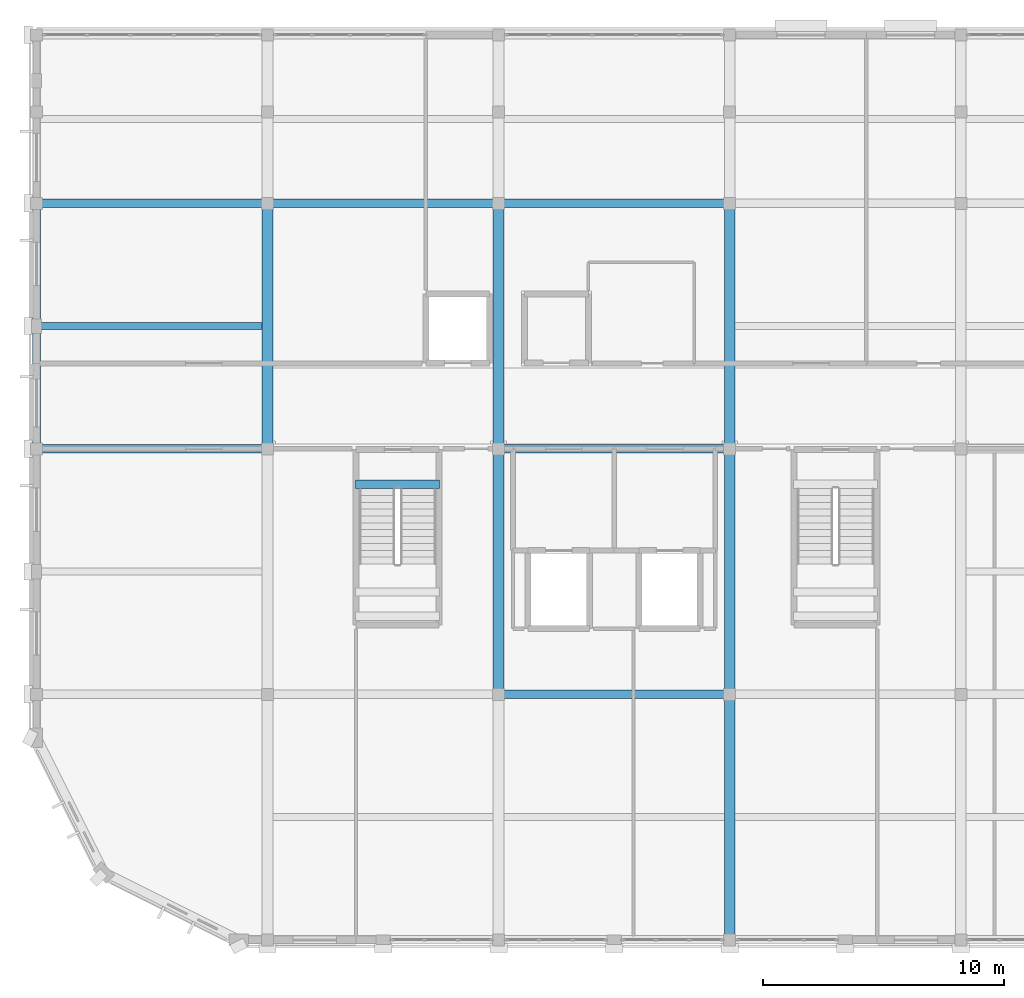
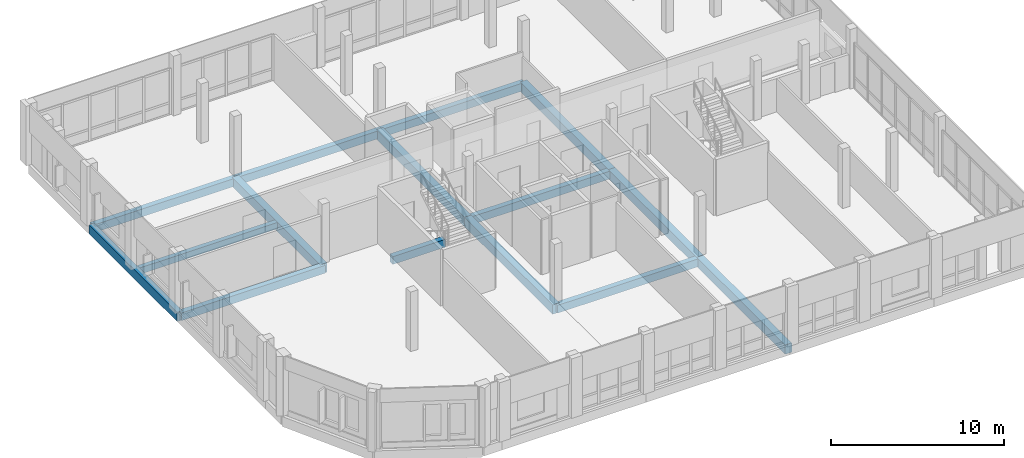
# One storey, part 6 of 29: 15 beams.
"""IFC4 building model written with IfcOpenShell, lengths in metres."""

from ifc_helpers import new_model, si_unit, direction, frame, origin, origin_2d, place, context, subcontext, project, spatial, rectangle, extrude, material, material_profile, profile_set, type_object, element, save


model = new_model("IFC4")

# Units and contexts
model_context = context("Model", 3, precision=1e-05, world=origin(), true_north=direction((0.0, 1.0)))
body_context = subcontext(model_context, "Body", "Model", "MODEL_VIEW")
ifc_project = project(units=[si_unit("LENGTHUNIT", "METRE"), si_unit("AREAUNIT", "SQUARE_METRE"), si_unit("VOLUMEUNIT", "CUBIC_METRE"), si_unit("PLANEANGLEUNIT", "RADIAN"), si_unit("MASSUNIT", "GRAM", prefix="KILO")], contexts=[model_context])

# Site, building, storey
site_placement = place(None, origin())
site = spatial("IfcSite", under=ifc_project, at=site_placement, CompositionType="ELEMENT")
building_placement = place(site_placement, origin())
building = spatial("IfcBuilding", under=site, at=building_placement, Name="Vondelvale Polytechnic", CompositionType="ELEMENT")
storey_placement = place(building_placement, frame((0.0, 0.0, 26.39990234375)))
storey = spatial("IfcBuildingStorey", under=building, at=storey_placement, Name="L06", CompositionType="ELEMENT", Elevation=26.39990234375)

# Beams
ifc_material_1 = material(Name="Concrete N40 (f'c = 40 MPa)", Category="concrete")
ifc_material_profile_1 = material_profile(ifc_material_1, rectangle(XDim=0.35009765625, YDim=0.550048828125, at=origin_2d()), Name="RC-BM-350x550")
ifc_profile_set_1 = profile_set([ifc_material_profile_1], Name="Concrete N40 (f'c = 40 MPa)")
beam_type_1 = type_object("IfcBeamType", Name="BM-RC350x550", PredefinedType="BEAM", material=ifc_profile_set_1)
beam_1_placement = place(storey_placement, frame((13.25, 18.925048828125, -0.27490234375), z_axis=(1.0, 0.0, 0.0), x_axis=(0.0, 1.0, 0.0)))
element("IfcBeam", 1, at=beam_1_placement, inside=storey, type_object=beam_type_1, Name="L06 STHD B-06", PredefinedType="BEAM", context=body_context, shape_type="SweptSolid", body=[
    extrude(rectangle(XDim=0.35009765625, YDim=0.550048828125, at=origin_2d()), origin(), (0.0, 0.0, 1.0), 3.5),
])
for number, where, z_axis, x_axis, name in (
    (2, (19.199951171875, 10.199951171875, -0.5), (1.0, 0.0, 0.0), (0.0, 1.0, 0.0), "L06 B B-06"),
    (3, (0.0, 20.39990234375, -0.5), (1.0, 0.0, 0.0), (0.0, 1.0, 0.0), "L06 B B-06"),
    (4, (19.199951171875, 20.39990234375, -0.5), (1.0, 0.0, 0.0), (0.0, 1.0, 0.0), "L06 B B-06"),
    (5, (0.0, 30.60009765625, -0.5), (1.0, 0.0, 0.0), (0.0, 1.0, 0.0), "L06 B B-06"),
):
    element("IfcBeam", number, at=place(storey_placement, frame(where, z_axis=z_axis, x_axis=x_axis)), inside=storey, type_object=beam_type_1, Name=name, PredefinedType="BEAM", context=body_context, shape_type="SweptSolid", body=[
        extrude(rectangle(XDim=0.35009765625, YDim=0.550048828125, at=origin_2d()), origin(), (0.0, 0.0, 1.0), 9.60009765625),
    ])
beam_2_placement = place(storey_placement, frame((9.60009765625, 30.60009765625, -0.5), z_axis=(1.0, 0.0, 0.0), x_axis=(0.0, 1.0, 0.0)))
element("IfcBeam", 6, at=beam_2_placement, inside=storey, type_object=beam_type_1, Name="L06 B B-06", PredefinedType="BEAM", context=body_context, shape_type="SweptSolid", body=[
    extrude(rectangle(XDim=0.35009765625, YDim=0.550048828125, at=origin_2d()), origin(), (0.0, 0.0, 1.0), 9.599853515625),
])
beam_3_placement = place(storey_placement, frame((19.199951171875, 30.60009765625, -0.5), z_axis=(1.0, 0.0, 0.0), x_axis=(0.0, 1.0, 0.0)))
element("IfcBeam", 7, at=beam_3_placement, inside=storey, type_object=beam_type_1, Name="L06 B B-06", PredefinedType="BEAM", context=body_context, shape_type="SweptSolid", body=[
    extrude(rectangle(XDim=0.35009765625, YDim=0.550048828125, at=origin_2d()), origin(), (0.0, 0.0, 1.0), 9.60009765625),
])
ifc_material_profile_2 = material_profile(ifc_material_1, rectangle(XDim=0.449951171875, YDim=0.64990234375, at=origin_2d()), Name="RC-BM-450x650")
ifc_profile_set_2 = profile_set([ifc_material_profile_2], Name="Concrete N40 (f'c = 40 MPa)")
beam_type_2 = type_object("IfcBeamType", Name="BM-RC450x650", PredefinedType="BEAM", material=ifc_profile_set_2)
beam_4_placement = place(storey_placement, frame((9.60009765625, 20.39990234375, -0.5498046875), z_axis=(0.0, 1.0, 0.0), x_axis=(-1.0, 0.0, 0.0)))
element("IfcBeam", 8, at=beam_4_placement, inside=storey, type_object=beam_type_2, Name="L06 B B-04", PredefinedType="BEAM", context=body_context, shape_type="SweptSolid", body=[
    extrude(rectangle(XDim=0.449951171875, YDim=0.64990234375, at=origin_2d()), origin(), (0.0, 0.0, 1.0), 10.2001953125),
])
beam_5_placement = place(storey_placement, frame((19.199951171875, 10.199951171875, -0.5498046875), z_axis=(0.0, 1.0, 0.0), x_axis=(-1.0, 0.0, 0.0)))
element("IfcBeam", 9, at=beam_5_placement, inside=storey, type_object=beam_type_2, Name="L06 B B-04", PredefinedType="BEAM", context=body_context, shape_type="SweptSolid", body=[
    extrude(rectangle(XDim=0.449951171875, YDim=0.64990234375, at=origin_2d()), origin(), (0.0, 0.0, 1.0), 10.199951171875),
])
beam_6_placement = place(storey_placement, frame((19.199951171875, 20.39990234375, -0.5498046875), z_axis=(0.0, 1.0, 0.0), x_axis=(-1.0, 0.0, 0.0)))
element("IfcBeam", 10, at=beam_6_placement, inside=storey, type_object=beam_type_2, Name="L06 B B-04", PredefinedType="BEAM", context=body_context, shape_type="SweptSolid", body=[
    extrude(rectangle(XDim=0.449951171875, YDim=0.64990234375, at=origin_2d()), origin(), (0.0, 0.0, 1.0), 10.2001953125),
])
for number, where, z_axis, x_axis, name in (
    (11, (28.800048828125, 0.0, -0.5498046875), (0.0, 1.0, 0.0), (-1.0, 0.0, 0.0), "L06 B B-04"),
    (12, (28.800048828125, 10.199951171875, -0.5498046875), (0.0, 1.0, 0.0), (-1.0, 0.0, 0.0), "L06 B B-04"),
):
    element("IfcBeam", number, at=place(storey_placement, frame(where, z_axis=z_axis, x_axis=x_axis)), inside=storey, type_object=beam_type_2, Name=name, PredefinedType="BEAM", context=body_context, shape_type="SweptSolid", body=[
        extrude(rectangle(XDim=0.449951171875, YDim=0.64990234375, at=origin_2d()), origin(), (0.0, 0.0, 1.0), 10.199951171875),
    ])
beam_7_placement = place(storey_placement, frame((28.800048828125, 20.39990234375, -0.5498046875), z_axis=(0.0, 1.0, 0.0), x_axis=(-1.0, 0.0, 0.0)))
element("IfcBeam", 13, at=beam_7_placement, inside=storey, type_object=beam_type_2, Name="L06 B B-04", PredefinedType="BEAM", context=body_context, shape_type="SweptSolid", body=[
    extrude(rectangle(XDim=0.449951171875, YDim=0.64990234375, at=origin_2d()), origin(), (0.0, 0.0, 1.0), 10.2001953125),
])
ifc_material_profile_3 = material_profile(ifc_material_1, rectangle(XDim=0.300048828125, YDim=0.449951171875, at=origin_2d()), Name="RC-JST-300x450")
ifc_profile_set_3 = profile_set([ifc_material_profile_3], Name="Concrete N40 (f'c = 40 MPa)")
beam_type_3 = type_object("IfcBeamType", Name="JST-RC300x450", PredefinedType="JOIST", material=ifc_profile_set_3)
beam_8_placement = place(storey_placement, frame((0.175048828125, 25.5, -0.449951171875), z_axis=(1.0, 0.0, 0.0), x_axis=(0.0, 1.0, 0.0)))
element("IfcBeam", 14, at=beam_8_placement, inside=storey, type_object=beam_type_3, Name="L06 J J-03", PredefinedType="JOIST", context=body_context, shape_type="SweptSolid", body=[
    extrude(rectangle(XDim=0.300048828125, YDim=0.449951171875, at=origin_2d()), origin(), (0.0, 0.0, 1.0), 9.199951171875),
])
ifc_material_2 = material(Name="Precast concrete N40 (f'c = 40 MPa)", Category="concrete")
ifc_material_profile_4 = material_profile(ifc_material_2, rectangle(XDim=0.35009765625, YDim=0.64990234375, at=origin_2d()), Name="RC-SPN-350x650")
ifc_profile_set_4 = profile_set([ifc_material_profile_4], Name="Precast concrete N40 (f'c = 40 MPa)")
beam_type_4 = type_object("IfcBeamType", Name="SPN-PRE350x650", PredefinedType="SPANDREL", material=ifc_profile_set_4)
beam_9_placement = place(storey_placement, frame((0.0, 20.39990234375, -0.5498046875), z_axis=(0.0, 1.0, 0.0), x_axis=(-1.0, 0.0, 0.0)))
element("IfcBeam", 15, at=beam_9_placement, inside=storey, type_object=beam_type_4, Name="L06 B SP-02", PredefinedType="SPANDREL", context=body_context, shape_type="SweptSolid", body=[
    extrude(rectangle(XDim=0.35009765625, YDim=0.64990234375, at=origin_2d()), origin(), (0.0, 0.0, 1.0), 10.2001953125),
])

save(model, "model.ifc")
